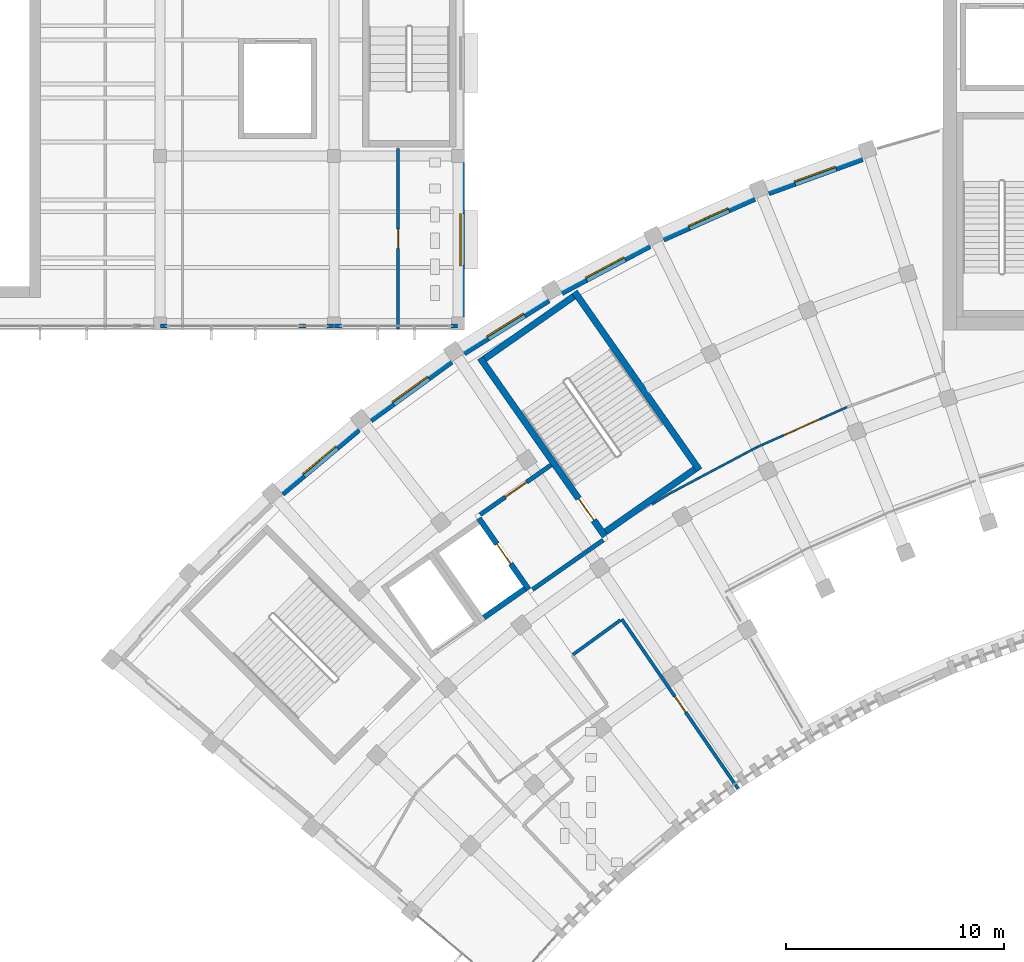
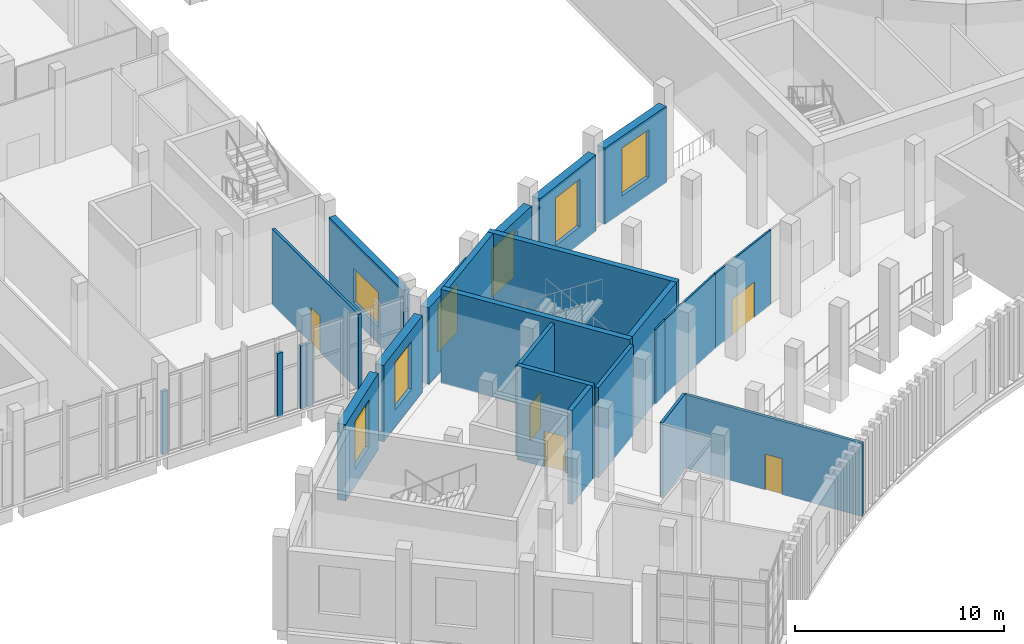
# One storey, part 54 of 112: 26 walls, 7 windows, 6 doors, 13 openings.
"""IFC4 building model written with IfcOpenShell, lengths in metres."""

from ifc_helpers import new_model, si_unit, direction, frame, frame_2d, origin, place, context, subcontext, project, spatial, rectangle, extrude, material, layer, layer_set, type_object, element, fill, save


model = new_model("IFC4")

# Units and contexts
model_context = context("Model", 3, precision=1e-05, world=origin(), true_north=direction((0.0, 1.0)))
body_context = subcontext(model_context, "Body", "Model", "MODEL_VIEW")
ifc_project = project(units=[si_unit("LENGTHUNIT", "METRE"), si_unit("AREAUNIT", "SQUARE_METRE"), si_unit("VOLUMEUNIT", "CUBIC_METRE"), si_unit("PLANEANGLEUNIT", "RADIAN"), si_unit("MASSUNIT", "GRAM", prefix="KILO")], contexts=[model_context])

# Site, building, storey
site_placement = place(None, origin())
site = spatial("IfcSite", under=ifc_project, at=site_placement, CompositionType="ELEMENT")
building_placement = place(site_placement, origin())
building = spatial("IfcBuilding", under=site, at=building_placement, Name="Lunette Opera House", CompositionType="ELEMENT")
storey_placement = place(building_placement, frame((0.0, 0.0, 6.0)))
storey = spatial("IfcBuildingStorey", under=building, at=storey_placement, Name="L01", CompositionType="ELEMENT", Elevation=6.0)

# Wall, opening, window
ifc_material_1 = material(Name="Clinker brick", Category="masonry")
ifc_layer_1 = layer(ifc_material_1, 0.449951171875)
ifc_layer_set_1 = layer_set([ifc_layer_1], Name="Clinker brick")
wall_type_1 = type_object("IfcWallType", Name="ARM RAIN SCREEN WALL 450", PredefinedType="SOLIDWALL", material=ifc_layer_set_1)
wall_1_placement = place(storey_placement, frame((45.56494140625, 56.537109375, 0.0), z_axis=(0.0, 0.0, 1.0), x_axis=(0.76600138663, 0.642838918922, 0.0)))
wall_1 = element("IfcWall", 1, at=wall_1_placement, inside=storey, type_object=wall_type_1, Name="Arm Rain Screen Wall 450 BW-CW03 L01", PredefinedType="SOLIDWALL", context=body_context, shape_type="SweptSolid", body=[
    extrude(rectangle(XDim=4.5888671875, YDim=0.449951171875, at=frame_2d((2.29443359375, 0.0))), origin(), (0.0, 0.0, 1.0), 4.47998046875),
])
opening_1_placement = place(wall_1_placement, frame((1.2939453125, 0.0, 1.0)))
opening_1 = element("IfcOpeningElement", 2, at=opening_1_placement, cuts=wall_1, Name="Opening FC-N2117", PredefinedType="OPENING", context=body_context, shape_type="SweptSolid", body=[
    extrude(rectangle(XDim=2.0, YDim=2.800048828125, at=frame_2d((1.0, 1.39990234375))), frame((0.0, 0.237060546875, 0.0), z_axis=(0.0, -1.0, 0.0), x_axis=(1.0, 0.0, 0.0)), (0.0, 0.0, 1.0), 0.473876953125),
])
ifc_material_2 = material(Name="Aluminium", Category="aluminium")
window_type_1 = type_object("IfcWindowType", Name="ARM WINDOW 2000 X 2800", PartitioningType="DOUBLE_PANEL_VERTICAL", PredefinedType="WINDOW", material=ifc_material_2)
window_1_placement = place(opening_1_placement, origin())
window_1 = element("IfcWindow", 3, at=window_1_placement, inside=storey, type_object=window_type_1, Name="Arm Window 2000 X 2800 BW-CW03 L01", OverallHeight=2.800048828125, OverallWidth=2.0, PartitioningType="DOUBLE_PANEL_VERTICAL", PredefinedType="WINDOW", context=body_context, shape_type="SweptSolid", body=[
    extrude(rectangle(XDim=2.0, YDim=2.800048828125, at=frame_2d((1.0, 1.39990234375))), frame((0.0, 0.030029296875, 0.0), z_axis=(0.0, -1.0, 0.0), x_axis=(1.0, 0.0, 0.0)), (0.0, 0.0, 1.0), 0.06005859375),
])
fill(opening_1, window_1)

wall_2_placement = place(storey_placement, frame((49.631103515625, 59.91796875, 0.0), z_axis=(0.0, 0.0, 1.0), x_axis=(0.809175321394, 0.587567272104, 0.0)))
wall_2 = element("IfcWall", 4, at=wall_2_placement, inside=storey, type_object=wall_type_1, Name="Arm Rain Screen Wall 450 BW-CW04 L01", PredefinedType="SOLIDWALL", context=body_context, shape_type="SweptSolid", body=[
    extrude(rectangle(XDim=4.58837890625, YDim=0.449951171875, at=frame_2d((2.294189453125, 0.0))), origin(), (0.0, 0.0, 1.0), 4.47998046875),
])
opening_2_placement = place(wall_2_placement, frame((1.2939453125, 0.0, 1.0)))
opening_2 = element("IfcOpeningElement", 5, at=opening_2_placement, cuts=wall_2, Name="Opening FC-N2122", PredefinedType="OPENING", context=body_context, shape_type="SweptSolid", body=[
    extrude(rectangle(XDim=2.0, YDim=2.800048828125, at=frame_2d((1.0, 1.39990234375))), frame((0.0, 0.237060546875, 0.0), z_axis=(0.0, -1.0, 0.0), x_axis=(1.0, 0.0, 0.0)), (0.0, 0.0, 1.0), 0.473876953125),
])
window_2_placement = place(opening_2_placement, origin())
window_2 = element("IfcWindow", 6, at=window_2_placement, inside=storey, type_object=window_type_1, Name="Arm Window 2000 X 2800 BW-CW04 L01", OverallHeight=2.800048828125, OverallWidth=2.0, PartitioningType="DOUBLE_PANEL_VERTICAL", PredefinedType="WINDOW", context=body_context, shape_type="SweptSolid", body=[
    extrude(rectangle(XDim=2.0, YDim=2.800048828125, at=frame_2d((1.0, 1.39990234375))), frame((0.0, 0.030029296875, 0.0), z_axis=(0.0, -1.0, 0.0), x_axis=(1.0, 0.0, 0.0)), (0.0, 0.0, 1.0), 0.06005859375),
])
fill(opening_2, window_2)

wall_3_placement = place(storey_placement, frame((53.924072265625, 63.0048828125, 0.0), z_axis=(0.0, 0.0, 1.0), x_axis=(0.847929565971, 0.530108904992, 0.0)))
wall_3 = element("IfcWall", 7, at=wall_3_placement, inside=storey, type_object=wall_type_1, Name="Arm Rain Screen Wall 450 BW-CW05 L01", PredefinedType="SOLIDWALL", context=body_context, shape_type="SweptSolid", body=[
    extrude(rectangle(XDim=4.58984375, YDim=0.449951171875, at=frame_2d((2.294921875, 0.0))), origin(), (0.0, 0.0, 1.0), 4.47998046875),
])
opening_3_placement = place(wall_3_placement, frame((1.294921875, 0.0, 1.0)))
opening_3 = element("IfcOpeningElement", 8, at=opening_3_placement, cuts=wall_3, Name="Opening FC-N2126", PredefinedType="OPENING", context=body_context, shape_type="SweptSolid", body=[
    extrude(rectangle(XDim=2.0, YDim=2.800048828125, at=frame_2d((1.0, 1.39990234375))), frame((0.0, 0.237060546875, 0.0), z_axis=(0.0, -1.0, 0.0), x_axis=(1.0, 0.0, 0.0)), (0.0, 0.0, 1.0), 0.473876953125),
])
window_3_placement = place(opening_3_placement, origin())
window_3 = element("IfcWindow", 9, at=window_3_placement, inside=storey, type_object=window_type_1, Name="Arm Window 2000 X 2800 BW-CW05 L01", OverallHeight=2.800048828125, OverallWidth=2.0, PartitioningType="DOUBLE_PANEL_VERTICAL", PredefinedType="WINDOW", context=body_context, shape_type="SweptSolid", body=[
    extrude(rectangle(XDim=2.0, YDim=2.800048828125, at=frame_2d((1.0, 1.39990234375))), frame((0.0, 0.030029296875, 0.0), z_axis=(0.0, -1.0, 0.0), x_axis=(1.0, 0.0, 0.0)), (0.0, 0.0, 1.0), 0.06005859375),
])
fill(opening_3, window_3)

wall_4_placement = place(storey_placement, frame((58.422119140625, 65.787109375, 0.0), z_axis=(0.0, 0.0, 1.0), x_axis=(0.882862062395, 0.469632386855, 0.0)))
wall_4 = element("IfcWall", 10, at=wall_4_placement, inside=storey, type_object=wall_type_1, Name="Arm Rain Screen Wall 450 BW-CW06 L01", PredefinedType="SOLIDWALL", context=body_context, shape_type="SweptSolid", body=[
    extrude(rectangle(XDim=4.588134765625, YDim=0.449951171875, at=frame_2d((2.2939453125, 0.0))), origin(), (0.0, 0.0, 1.0), 4.47998046875),
])
opening_4_placement = place(wall_4_placement, frame((1.2939453125, 0.0, 1.0)))
opening_4 = element("IfcOpeningElement", 11, at=opening_4_placement, cuts=wall_4, Name="Opening FC-N2131", PredefinedType="OPENING", context=body_context, shape_type="SweptSolid", body=[
    extrude(rectangle(XDim=2.0, YDim=2.800048828125, at=frame_2d((1.0, 1.39990234375))), frame((0.0, 0.237060546875, 0.0), z_axis=(0.0, -1.0, 0.0), x_axis=(1.0, 0.0, 0.0)), (0.0, 0.0, 1.0), 0.473876953125),
])
window_4_placement = place(opening_4_placement, origin())
window_4 = element("IfcWindow", 12, at=window_4_placement, inside=storey, type_object=window_type_1, Name="Arm Window 2000 X 2800 BW-CW06 L01", OverallHeight=2.800048828125, OverallWidth=2.0, PartitioningType="DOUBLE_PANEL_VERTICAL", PredefinedType="WINDOW", context=body_context, shape_type="SweptSolid", body=[
    extrude(rectangle(XDim=2.0, YDim=2.800048828125, at=frame_2d((1.0, 1.39990234375))), frame((0.0, 0.030029296875, 0.0), z_axis=(0.0, -1.0, 0.0), x_axis=(1.0, 0.0, 0.0)), (0.0, 0.0, 1.0), 0.06005859375),
])
fill(opening_4, window_4)

wall_5_placement = place(storey_placement, frame((63.10205078125, 68.248046875, 0.0), z_axis=(0.0, 0.0, 1.0), x_axis=(0.91349754212, 0.406844246045, 0.0)))
wall_5 = element("IfcWall", 13, at=wall_5_placement, inside=storey, type_object=wall_type_1, Name="Arm Rain Screen Wall 450 BW-CW07 L01", PredefinedType="SOLIDWALL", context=body_context, shape_type="SweptSolid", body=[
    extrude(rectangle(XDim=4.5888671875, YDim=0.449951171875, at=frame_2d((2.29443359375, 0.0))), origin(), (0.0, 0.0, 1.0), 4.47998046875),
])
opening_5_placement = place(wall_5_placement, frame((1.294921875, 0.0, 1.0)))
opening_5 = element("IfcOpeningElement", 14, at=opening_5_placement, cuts=wall_5, Name="Opening FC-N2136", PredefinedType="OPENING", context=body_context, shape_type="SweptSolid", body=[
    extrude(rectangle(XDim=2.0, YDim=2.800048828125, at=frame_2d((1.0, 1.39990234375))), frame((0.0, 0.237060546875, 0.0), z_axis=(0.0, -1.0, 0.0), x_axis=(1.0, 0.0, 0.0)), (0.0, 0.0, 1.0), 0.473876953125),
])
window_5_placement = place(opening_5_placement, origin())
window_5 = element("IfcWindow", 15, at=window_5_placement, inside=storey, type_object=window_type_1, Name="Arm Window 2000 X 2800 BW-CW07 L01", OverallHeight=2.800048828125, OverallWidth=2.0, PartitioningType="DOUBLE_PANEL_VERTICAL", PredefinedType="WINDOW", context=body_context, shape_type="SweptSolid", body=[
    extrude(rectangle(XDim=2.0, YDim=2.800048828125, at=frame_2d((1.0, 1.39990234375))), frame((0.0, 0.030029296875, 0.0), z_axis=(0.0, -1.0, 0.0), x_axis=(1.0, 0.0, 0.0)), (0.0, 0.0, 1.0), 0.06005859375),
])
fill(opening_5, window_5)

wall_6_placement = place(storey_placement, frame((67.943115234375, 70.376953125, 0.0), z_axis=(0.0, 0.0, 1.0), x_axis=(0.939711059344, 0.341969479554, 0.0)))
wall_6 = element("IfcWall", 16, at=wall_6_placement, inside=storey, type_object=wall_type_1, Name="Arm Rain Screen Wall 450 BW-CW08 L01", PredefinedType="SOLIDWALL", context=body_context, shape_type="SweptSolid", body=[
    extrude(rectangle(XDim=4.58837890625, YDim=0.449951171875, at=frame_2d((2.294189453125, 0.0))), origin(), (0.0, 0.0, 1.0), 4.47998046875),
])
opening_6_placement = place(wall_6_placement, frame((1.2939453125, 0.0, 1.0)))
opening_6 = element("IfcOpeningElement", 17, at=opening_6_placement, cuts=wall_6, Name="Opening FC-N2140", PredefinedType="OPENING", context=body_context, shape_type="SweptSolid", body=[
    extrude(rectangle(XDim=2.0, YDim=2.800048828125, at=frame_2d((1.0, 1.39990234375))), frame((0.0, 0.237060546875, 0.0), z_axis=(0.0, -1.0, 0.0), x_axis=(1.0, 0.0, 0.0)), (0.0, 0.0, 1.0), 0.473876953125),
])
window_6_placement = place(opening_6_placement, origin())
window_6 = element("IfcWindow", 18, at=window_6_placement, inside=storey, type_object=window_type_1, Name="Arm Window 2000 X 2800 BW-CW08 L01", OverallHeight=2.800048828125, OverallWidth=2.0, PartitioningType="DOUBLE_PANEL_VERTICAL", PredefinedType="WINDOW", context=body_context, shape_type="SweptSolid", body=[
    extrude(rectangle(XDim=2.0, YDim=2.800048828125, at=frame_2d((1.0, 1.39990234375))), frame((0.0, 0.030029296875, 0.0), z_axis=(0.0, -1.0, 0.0), x_axis=(1.0, 0.0, 0.0)), (0.0, 0.0, 1.0), 0.06005859375),
])
fill(opening_6, window_6)

# Wall, opening, door
ifc_material_3 = material(Name="Plastered clay blockwork", Category="masonry")
ifc_layer_2 = layer(ifc_material_3, 0.14990234375)
ifc_layer_set_2 = layer_set([ifc_layer_2], Name="Plastered clay blockwork")
wall_type_2 = type_object("IfcWallType", Name="BLOCK PARTITION 150", PredefinedType="PARTITIONING", material=ifc_layer_set_2)
wall_7_placement = place(storey_placement, frame((66.569091796875, 42.9150390625, 0.0), z_axis=(0.0, 0.0, 1.0), x_axis=(-0.565642347874, 0.824650674099, 0.0)))
wall_7 = element("IfcWall", 19, at=wall_7_placement, inside=storey, type_object=wall_type_2, Name="Partition Public WC L01", PredefinedType="PARTITIONING", context=body_context, shape_type="SweptSolid", body=[
    extrude(rectangle(XDim=9.44775390625, YDim=0.14990234375, at=frame_2d((4.723876953125, 0.0))), origin(), (0.0, 0.0, 1.0), 4.300048828125),
])
opening_7_placement = place(wall_7_placement, frame((4.2490234375, 0.0, 0.0)))
opening_7 = element("IfcOpeningElement", 20, at=opening_7_placement, cuts=wall_7, Name="Opening FC-D3030", PredefinedType="OPENING", context=body_context, shape_type="SweptSolid", body=[
    extrude(rectangle(XDim=0.89990234375, YDim=2.10009765625, at=frame_2d((0.449951171875, 1.050048828125))), frame((0.0, 0.0869140625, 0.0), z_axis=(0.0, -1.0, 0.0), x_axis=(1.0, 0.0, 0.0)), (0.0, 0.0, 1.0), 0.173828125),
])
ifc_material_4 = material(Name="Timber", Category="wood")
door_type_1 = type_object("IfcDoorType", Name="FLUSH DOOR 900 X 2100", OperationType="SINGLE_SWING_LEFT", PredefinedType="DOOR", material=ifc_material_4)
door_1_placement = place(opening_7_placement, origin())
door_1 = element("IfcDoor", 21, at=door_1_placement, inside=storey, type_object=door_type_1, Name="Public WC L01 door", OperationType="SINGLE_SWING_LEFT", OverallHeight=2.10009765625, OverallWidth=0.89990234375, PredefinedType="DOOR", context=body_context, shape_type="SweptSolid", body=[
    extrude(rectangle(XDim=0.89990234375, YDim=2.10009765625, at=frame_2d((0.449951171875, 1.050048828125))), frame((0.0, 0.02490234375, 0.0), z_axis=(0.0, -1.0, 0.0), x_axis=(1.0, 0.0, 0.0)), (0.0, 0.0, 1.0), 0.050048828125),
])
fill(opening_7, door_1)

wall_8_placement = place(storey_placement, frame((50.94189453125, 72.35009765625, 0.0), z_axis=(0.0, 0.0, 1.0), x_axis=(0.0, -1.0, 0.0)))
wall_8 = element("IfcWall", 22, at=wall_8_placement, inside=storey, type_object=wall_type_2, Name="Partition Artists' WC", PredefinedType="PARTITIONING", context=body_context, shape_type="SweptSolid", body=[
    extrude(rectangle(XDim=8.300048828125, YDim=0.14990234375, at=frame_2d((4.14990234375, 0.0))), origin(), (0.0, 0.0, 1.0), 4.449951171875),
])
opening_8_placement = place(wall_8_placement, frame((3.699951171875, 0.0, 0.0)))
opening_8 = element("IfcOpeningElement", 23, at=opening_8_placement, cuts=wall_8, Name="Opening RW-D3024", PredefinedType="OPENING", context=body_context, shape_type="SweptSolid", body=[
    extrude(rectangle(XDim=0.89990234375, YDim=2.10009765625, at=frame_2d((0.449951171875, 1.050048828125))), frame((0.0, 0.0869140625, 0.0), z_axis=(0.0, -1.0, 0.0), x_axis=(1.0, 0.0, 0.0)), (0.0, 0.0, 1.0), 0.173828125),
])
door_2_placement = place(opening_8_placement, origin())
door_2 = element("IfcDoor", 24, at=door_2_placement, inside=storey, type_object=door_type_1, Name="Artists' WC door", OperationType="SINGLE_SWING_RIGHT", OverallHeight=2.10009765625, OverallWidth=0.89990234375, PredefinedType="DOOR", context=body_context, shape_type="SweptSolid", body=[
    extrude(rectangle(XDim=0.89990234375, YDim=2.10009765625, at=frame_2d((0.449951171875, 1.050048828125))), frame((0.0, 0.02490234375, 0.0), z_axis=(0.0, -1.0, 0.0), x_axis=(1.0, 0.0, 0.0)), (0.0, 0.0, 1.0), 0.050048828125),
])
fill(opening_8, door_2)

# Walls
wall_9_placement = place(storey_placement, frame((61.1640625, 50.662109375, 0.0), z_axis=(0.0, 0.0, 1.0), x_axis=(-0.808974981141, -0.587843074202, 0.0)))
element("IfcWall", 25, at=wall_9_placement, inside=storey, type_object=wall_type_2, Name="Partition Public WC L01", PredefinedType="PARTITIONING", context=body_context, shape_type="SweptSolid", body=[
    extrude(rectangle(XDim=2.695068359375, YDim=0.14990234375, at=frame_2d((1.34765625, 0.0))), origin(), (0.0, 0.0, 1.0), 4.3798828125),
])
ifc_material_5 = material(Name="Insulated aluminium sandwich panel", Category="aluminium")
ifc_layer_3 = layer(ifc_material_5, 0.179931640625)
ifc_layer_set_3 = layer_set([ifc_layer_3], Name="Insulated aluminium sandwich panel")
wall_type_3 = type_object("IfcWallType", Name="CURTAIN WALL INFILL 180", PredefinedType="SOLIDWALL", material=ifc_layer_set_3)
wall_10_placement = place(storey_placement, frame((46.39404296875, 64.18310546875, 0.0), z_axis=(0.0, 0.0, 1.0), x_axis=(1.0, 0.0, 0.0)))
element("IfcWall", 26, at=wall_10_placement, inside=storey, type_object=wall_type_3, Name="Curtain Wall Infill 180 IN56 L01", PredefinedType="SOLIDWALL", context=body_context, shape_type="SweptSolid", body=[
    extrude(rectangle(XDim=0.304931640625, YDim=0.179931640625, at=frame_2d((0.15234375, 0.0))), origin(), (0.0, 0.0, 1.0), 3.699951171875),
])
for number, where, z_axis, x_axis, name in (
    (27, (40.330078125, 64.18310546875, 0.0), (0.0, 0.0, 1.0), (-1.0, 0.0, 0.0), "Curtain Wall Infill 180 IN57 L01"),
    (28, (47.669921875, 64.18310546875, 0.0), (0.0, 0.0, 1.0), (1.0, 0.0, 0.0), "Curtain Wall Infill 180 IN58 L01"),
):
    element("IfcWall", number, at=place(storey_placement, frame(where, z_axis=z_axis, x_axis=x_axis)), inside=storey, type_object=wall_type_3, Name=name, PredefinedType="SOLIDWALL", context=body_context, shape_type="SweptSolid", body=[
        extrude(rectangle(XDim=0.30517578125, YDim=0.179931640625, at=frame_2d((0.152587890625, 0.0))), origin(), (0.0, 0.0, 1.0), 3.699951171875),
    ])
wall_11_placement = place(storey_placement, frame((53.3701171875, 64.18310546875, 0.0), z_axis=(0.0, 0.0, 1.0), x_axis=(1.0, 0.0, 0.0)))
element("IfcWall", 29, at=wall_11_placement, inside=storey, type_object=wall_type_3, Name="Curtain Wall Infill 180 IN59 L01", PredefinedType="SOLIDWALL", context=body_context, shape_type="SweptSolid", body=[
    extrude(rectangle(XDim=0.304931640625, YDim=0.179931640625, at=frame_2d((0.15234375, 0.0))), origin(), (0.0, 0.0, 1.0), 3.699951171875),
])
wall_12_placement = place(storey_placement, frame((48.330078125, 64.18310546875, 0.0), z_axis=(0.0, 0.0, 1.0), x_axis=(-1.0, 0.0, 0.0)))
element("IfcWall", 30, at=wall_12_placement, inside=storey, type_object=wall_type_3, Name="Curtain Wall Infill 180 IN60 L01", PredefinedType="SOLIDWALL", context=body_context, shape_type="SweptSolid", body=[
    extrude(rectangle(XDim=0.30517578125, YDim=0.179931640625, at=frame_2d((0.152587890625, 0.0))), origin(), (0.0, 0.0, 1.0), 3.699951171875),
])

# Wall, opening, door
ifc_material_6 = material(Name="Concrete C35/45", Category="concrete")
ifc_layer_4 = layer(ifc_material_6, 0.199951171875)
ifc_layer_set_4 = layer_set([ifc_layer_4], Name="Concrete C35/45")
wall_type_4 = type_object("IfcWallType", Name="LOBBY WALL 200", PredefinedType="PARTITIONING", material=ifc_layer_set_4)
wall_13_placement = place(storey_placement, frame((57.98388671875, 57.797119140625, 0.0), z_axis=(0.0, 0.0, 1.0), x_axis=(-0.819125561737, -0.573614255497, 0.0)))
wall_13 = element("IfcWall", 31, at=wall_13_placement, inside=storey, type_object=wall_type_4, Name="FL2 lobby wall 2a", PredefinedType="PARTITIONING", context=body_context, shape_type="SweptSolid", body=[
    extrude(rectangle(XDim=3.990478515625, YDim=0.199951171875, at=frame_2d((1.9951171875, 0.0))), origin(), (0.0, 0.0, 1.0), 5.280029296875),
])
opening_9_placement = place(wall_13_placement, frame((1.3798828125, 0.0, 0.0)))
opening_9 = element("IfcOpeningElement", 32, at=opening_9_placement, cuts=wall_13, Name="Opening FC-D7033", PredefinedType="OPENING", context=body_context, shape_type="SweptSolid", body=[
    extrude(rectangle(XDim=1.199951171875, YDim=2.10009765625, at=frame_2d((0.60009765625, 1.050048828125))), frame((0.0, 0.112060546875, 0.0), z_axis=(0.0, -1.0, 0.0), x_axis=(1.0, 0.0, 0.0)), (0.0, 0.0, 1.0), 0.223876953125),
])
ifc_material_7 = material(Name="Steel", Category="steel")
door_type_2 = type_object("IfcDoorType", Name="FIRE DOOR 1200 X 2100", OperationType="SINGLE_SWING_LEFT", PredefinedType="DOOR", material=ifc_material_7)
door_3_placement = place(opening_9_placement, origin())
door_3 = element("IfcDoor", 33, at=door_3_placement, inside=storey, type_object=door_type_2, Name="FL2 lobby door", OperationType="SINGLE_SWING_LEFT", OverallHeight=2.10009765625, OverallWidth=1.199951171875, PredefinedType="DOOR", context=body_context, shape_type="SweptSolid", body=[
    extrude(rectangle(XDim=1.199951171875, YDim=2.10009765625, at=frame_2d((0.60009765625, 1.050048828125))), frame((0.0, 0.02490234375, 0.0), z_axis=(0.0, -1.0, 0.0), x_axis=(1.0, 0.0, 0.0)), (0.0, 0.0, 1.0), 0.050048828125),
])
fill(opening_9, door_3)

# Wall
wall_14_placement = place(storey_placement, frame((57.125, 52.069091796875, 0.0), z_axis=(0.0, 0.0, 1.0), x_axis=(0.81911891796, 0.573623742744, 0.0)))
element("IfcWall", 34, at=wall_14_placement, inside=storey, type_object=wall_type_4, Name="FL2 lobby wall 4a", PredefinedType="PARTITIONING", context=body_context, shape_type="SweptSolid", body=[
    extrude(rectangle(XDim=3.958984375, YDim=0.199951171875, at=frame_2d((1.9794921875, 0.0))), origin(), (0.0, 0.0, 1.0), 5.280029296875),
])

# Wall, opening, door
ifc_material_8 = material(Name="Concrete C35/45", Category="concrete")
ifc_layer_5 = layer(ifc_material_8, 0.25)
ifc_layer_set_5 = layer_set([ifc_layer_5], Name="Concrete C35/45")
wall_type_5 = type_object("IfcWallType", Name="RC LIFT SHAFT WALL 250", PredefinedType="SOLIDWALL", material=ifc_layer_set_5)
wall_15_placement = place(storey_placement, frame((56.948974609375, 52.06689453125, 0.0), z_axis=(0.0, 0.0, 1.0), x_axis=(-0.573736768582, 0.819039755065, 0.0)))
wall_15 = element("IfcWall", 35, at=wall_15_placement, inside=storey, type_object=wall_type_5, Name="FL2 shaft wall 1", PredefinedType="SOLIDWALL", context=body_context, shape_type="SweptSolid", body=[
    extrude(rectangle(XDim=4.0, YDim=0.25, at=frame_2d((2.0, 0.0))), origin(), (0.0, 0.0, 1.0), 5.5),
])
opening_10_placement = place(wall_15_placement, frame((1.449951171875, 0.0, 0.0)))
opening_10 = element("IfcOpeningElement", 36, at=opening_10_placement, cuts=wall_15, Name="Opening FC-LD009", PredefinedType="OPENING", context=body_context, shape_type="SweptSolid", body=[
    extrude(rectangle(XDim=1.10009765625, YDim=2.10009765625, at=frame_2d((0.550048828125, 1.050048828125))), frame((0.0, 0.136962890625, 0.0), z_axis=(0.0, -1.0, 0.0), x_axis=(1.0, 0.0, 0.0)), (0.0, 0.0, 1.0), 0.27392578125),
])
ifc_material_9 = material(Name="Stainless steel", Category="steel")
door_type_3 = type_object("IfcDoorType", Name="LIFT LANDING DOOR 1100 X 2100", OperationType="DOUBLE_DOOR_SLIDING", PredefinedType="DOOR", material=ifc_material_9)
door_4_placement = place(opening_10_placement, origin())
door_4 = element("IfcDoor", 37, at=door_4_placement, inside=storey, type_object=door_type_3, Name="FL2 lift landing door", OperationType="DOUBLE_DOOR_SLIDING", OverallHeight=2.10009765625, OverallWidth=1.10009765625, PredefinedType="DOOR", context=body_context, shape_type="SweptSolid", body=[
    extrude(rectangle(XDim=1.10009765625, YDim=2.10009765625, at=frame_2d((0.550048828125, 1.050048828125))), frame((0.0, 0.02490234375, 0.0), z_axis=(0.0, -1.0, 0.0), x_axis=(1.0, 0.0, 0.0)), (0.0, 0.0, 1.0), 0.050048828125),
])
fill(opening_10, door_4)

# Walls
wall_16_placement = place(storey_placement, frame((54.889892578125, 50.779052734375, 0.0), z_axis=(0.0, 0.0, 1.0), x_axis=(0.819366508838, 0.573270027295, 0.0)))
element("IfcWall", 38, at=wall_16_placement, inside=storey, type_object=wall_type_5, Name="FL2 shaft wall 4", PredefinedType="SOLIDWALL", context=body_context, shape_type="SweptSolid", body=[
    extrude(rectangle(XDim=2.300537109375, YDim=0.25, at=frame_2d((1.150390625, 0.0))), origin(), (0.0, 0.0, 1.0), 5.5),
])
ifc_material_10 = material(Name="Concrete C35/45", Category="concrete")
ifc_layer_6 = layer(ifc_material_10, 0.300048828125)
ifc_layer_set_6 = layer_set([ifc_layer_6], Name="Concrete C35/45")
wall_type_6 = type_object("IfcWallType", Name="RC STAIR ENCLOSURE WALL 300", PredefinedType="SOLIDWALL", material=ifc_layer_set_6)
wall_17_placement = place(storey_placement, frame((64.791015625, 57.55908203125, 0.0), z_axis=(0.0, 0.0, 1.0), x_axis=(-0.573514776444, 0.819195215563, 0.0)))
element("IfcWall", 39, at=wall_17_placement, inside=storey, type_object=wall_type_6, Name="ST2 enclosure wall 1", PredefinedType="SOLIDWALL", context=body_context, shape_type="SweptSolid", body=[
    extrude(rectangle(XDim=10.0, YDim=0.300048828125, at=frame_2d((5.0, 0.0))), origin(), (0.0, 0.0, 1.0), 5.5),
])
wall_18_placement = place(storey_placement, frame((59.01904296875, 65.5419921875, 0.0), z_axis=(0.0, 0.0, 1.0), x_axis=(-0.819160804606, -0.573563925118, 0.0)))
element("IfcWall", 40, at=wall_18_placement, inside=storey, type_object=wall_type_6, Name="ST2 enclosure wall 2", PredefinedType="SOLIDWALL", context=body_context, shape_type="SweptSolid", body=[
    extrude(rectangle(XDim=5.000244140625, YDim=0.300048828125, at=frame_2d((2.5, 0.0))), origin(), (0.0, 0.0, 1.0), 5.5),
])

# Wall, opening, door
wall_19_placement = place(storey_placement, frame((54.714111328125, 62.7109375, 0.0), z_axis=(0.0, 0.0, 1.0), x_axis=(0.573563925118, -0.819160804606, 0.0)))
wall_19 = element("IfcWall", 41, at=wall_19_placement, inside=storey, type_object=wall_type_6, Name="ST2 enclosure wall 3", PredefinedType="SOLIDWALL", context=body_context, shape_type="SweptSolid", body=[
    extrude(rectangle(XDim=10.000244140625, YDim=0.300048828125, at=frame_2d((5.0, 0.0))), origin(), (0.0, 0.0, 1.0), 5.5),
])
opening_11_placement = place(wall_19_placement, frame((7.89990234375, 0.0, 0.0)))
opening_11 = element("IfcOpeningElement", 42, at=opening_11_placement, cuts=wall_19, Name="Opening FC-D7015", PredefinedType="OPENING", context=body_context, shape_type="SweptSolid", body=[
    extrude(rectangle(XDim=1.199951171875, YDim=2.10009765625, at=frame_2d((0.60009765625, 1.050048828125))), frame((0.0, 0.162109375, 0.0), z_axis=(0.0, -1.0, 0.0), x_axis=(1.0, 0.0, 0.0)), (0.0, 0.0, 1.0), 0.323974609375),
])
door_5_placement = place(opening_11_placement, origin())
door_5 = element("IfcDoor", 43, at=door_5_placement, inside=storey, type_object=door_type_2, Name="ST2 stair door", OperationType="SINGLE_SWING_LEFT", OverallHeight=2.10009765625, OverallWidth=1.199951171875, PredefinedType="DOOR", context=body_context, shape_type="SweptSolid", body=[
    extrude(rectangle(XDim=1.199951171875, YDim=2.10009765625, at=frame_2d((0.60009765625, 1.050048828125))), frame((0.0, 0.02490234375, 0.0), z_axis=(0.0, -1.0, 0.0), x_axis=(1.0, 0.0, 0.0)), (0.0, 0.0, 1.0), 0.050048828125),
])
fill(opening_11, door_5)

# Wall
wall_20_placement = place(storey_placement, frame((60.487060546875, 54.72802734375, 0.0), z_axis=(0.0, 0.0, 1.0), x_axis=(0.819096538389, 0.573655698829, 0.0)))
element("IfcWall", 44, at=wall_20_placement, inside=storey, type_object=wall_type_6, Name="ST2 enclosure wall 4", PredefinedType="SOLIDWALL", context=body_context, shape_type="SweptSolid", body=[
    extrude(rectangle(XDim=4.999267578125, YDim=0.300048828125, at=frame_2d((2.49951171875, 0.0))), origin(), (0.0, 0.0, 1.0), 5.5),
])

# Wall, opening, window
ifc_material_11 = material(Name="Clinker brick", Category="masonry")
ifc_layer_7 = layer(ifc_material_11, 0.364990234375)
ifc_layer_set_7 = layer_set([ifc_layer_7], Name="Clinker brick")
wall_type_7 = type_object("IfcWallType", Name="REHEARSAL BRICK WALL 365", PredefinedType="SOLIDWALL", material=ifc_layer_set_7)
wall_21_placement = place(storey_placement, frame((53.818115234375, 64.60009765625, 0.0), z_axis=(0.0, 0.0, 1.0), x_axis=(0.0, 1.0, 0.0)))
wall_21 = element("IfcWall", 45, at=wall_21_placement, inside=storey, type_object=wall_type_7, Name="Rehearsal Brick Wall 365 F01 L01", PredefinedType="SOLIDWALL", context=body_context, shape_type="SweptSolid", body=[
    extrude(rectangle(XDim=7.099853515625, YDim=0.364990234375, at=frame_2d((3.5498046875, 0.0))), origin(), (0.0, 0.0, 1.0), 4.550048828125),
])
opening_12_placement = place(wall_21_placement, frame((2.35009765625, 0.0, 1.0)))
opening_12 = element("IfcOpeningElement", 46, at=opening_12_placement, cuts=wall_21, Name="Opening RW-N2013", PredefinedType="OPENING", context=body_context, shape_type="SweptSolid", body=[
    extrude(rectangle(XDim=2.39990234375, YDim=2.0, at=frame_2d((1.199951171875, 1.0))), frame((0.0, 0.194580078125, 0.0), z_axis=(0.0, -1.0, 0.0), x_axis=(1.0, 0.0, 0.0)), (0.0, 0.0, 1.0), 0.388916015625),
])
ifc_material_12 = material(Name="Aluminium", Category="aluminium")
window_type_2 = type_object("IfcWindowType", Name="REHEARSAL WINDOW 2400 X 2000", PartitioningType="DOUBLE_PANEL_VERTICAL", PredefinedType="WINDOW", material=ifc_material_12)
window_7_placement = place(opening_12_placement, origin())
window_7 = element("IfcWindow", 47, at=window_7_placement, inside=storey, type_object=window_type_2, Name="Rehearsal Window 2400 X 2000 F01 L01", OverallHeight=2.0, OverallWidth=2.39990234375, PartitioningType="DOUBLE_PANEL_VERTICAL", PredefinedType="WINDOW", context=body_context, shape_type="SweptSolid", body=[
    extrude(rectangle(XDim=2.39990234375, YDim=2.0, at=frame_2d((1.199951171875, 1.0))), frame((0.0, 0.030029296875, 0.0), z_axis=(0.0, -1.0, 0.0), x_axis=(1.0, 0.0, 0.0)), (0.0, 0.0, 1.0), 0.06005859375),
])
fill(opening_12, window_7)

# Wall, opening, door
ifc_material_13 = material(Name="Gypsum board on steel studs", Category="steel")
ifc_layer_8 = layer(ifc_material_13, 0.10009765625)
ifc_layer_set_8 = layer_set([ifc_layer_8], Name="Gypsum board on steel studs")
wall_type_8 = type_object("IfcWallType", Name="STUD PARTITION 100", PredefinedType="PARTITIONING", material=ifc_layer_set_8)
wall_22_placement = place(storey_placement, frame((71.575927734375, 60.451904296875, 0.0), z_axis=(0.0, 0.0, 1.0), x_axis=(-0.91357913429, -0.406660995658, 0.0)))
wall_22 = element("IfcWall", 48, at=wall_22_placement, inside=storey, type_object=wall_type_8, Name="Partition Promenade Foyer L01", PredefinedType="PARTITIONING", context=body_context, shape_type="SweptSolid", body=[
    extrude(rectangle(XDim=4.55126953125, YDim=0.10009765625, at=frame_2d((2.275634765625, 0.0))), origin(), (0.0, 0.0, 1.0), 4.3798828125),
])
opening_13_placement = place(wall_22_placement, frame((1.3759765625, 0.0, 0.0)))
opening_13 = element("IfcOpeningElement", 49, at=opening_13_placement, cuts=wall_22, Name="Opening FC-D3028", PredefinedType="OPENING", context=body_context, shape_type="SweptSolid", body=[
    extrude(rectangle(XDim=1.800048828125, YDim=2.10009765625, at=frame_2d((0.89990234375, 1.050048828125))), frame((0.0, 0.06201171875, 0.0), z_axis=(0.0, -1.0, 0.0), x_axis=(1.0, 0.0, 0.0)), (0.0, 0.0, 1.0), 0.1240234375),
])
ifc_material_14 = material(Name="Timber", Category="wood")
door_type_4 = type_object("IfcDoorType", Name="DOUBLE FLUSH DOOR 1800 X 2100", OperationType="DOUBLE_DOOR_SINGLE_SWING", PredefinedType="DOOR", material=ifc_material_14)
door_6_placement = place(opening_13_placement, origin())
door_6 = element("IfcDoor", 50, at=door_6_placement, inside=storey, type_object=door_type_4, Name="Management Rooms door", OperationType="DOUBLE_DOOR_SINGLE_SWING", OverallHeight=2.10009765625, OverallWidth=1.800048828125, PredefinedType="DOOR", context=body_context, shape_type="SweptSolid", body=[
    extrude(rectangle(XDim=1.800048828125, YDim=2.10009765625, at=frame_2d((0.89990234375, 1.050048828125))), frame((0.0, 0.02490234375, 0.0), z_axis=(0.0, -1.0, 0.0), x_axis=(1.0, 0.0, 0.0)), (0.0, 0.0, 1.0), 0.050048828125),
])
fill(opening_13, door_6)

# Walls
wall_23_placement = place(storey_placement, frame((67.41796875, 58.60107421875, 0.0), z_axis=(0.0, 0.0, 1.0), x_axis=(-0.882989262106, -0.469393185938, 0.0)))
element("IfcWall", 51, at=wall_23_placement, inside=storey, type_object=wall_type_8, Name="Partition Promenade Foyer L01", PredefinedType="PARTITIONING", context=body_context, shape_type="SweptSolid", body=[
    extrude(rectangle(XDim=4.550537109375, YDim=0.10009765625, at=frame_2d((2.275390625, 0.0))), origin(), (0.0, 0.0, 1.0), 4.3798828125),
])
wall_24_placement = place(storey_placement, frame((63.39990234375, 56.465087890625, 0.0), z_axis=(0.0, 0.0, 1.0), x_axis=(-0.848042980139, -0.529927451484, 0.0)))
element("IfcWall", 52, at=wall_24_placement, inside=storey, type_object=wall_type_8, Name="Partition Promenade Foyer L01", PredefinedType="PARTITIONING", context=body_context, shape_type="SweptSolid", body=[
    extrude(rectangle(XDim=0.9208984375, YDim=0.10009765625, at=frame_2d((0.46044921875, 0.0))), origin(), (0.0, 0.0, 1.0), 4.3798828125),
])

save(model, "model.ifc")
